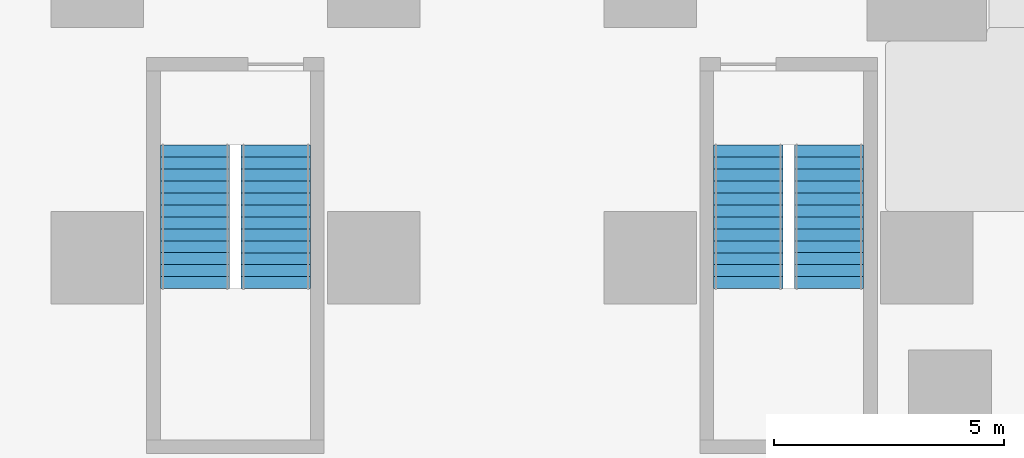
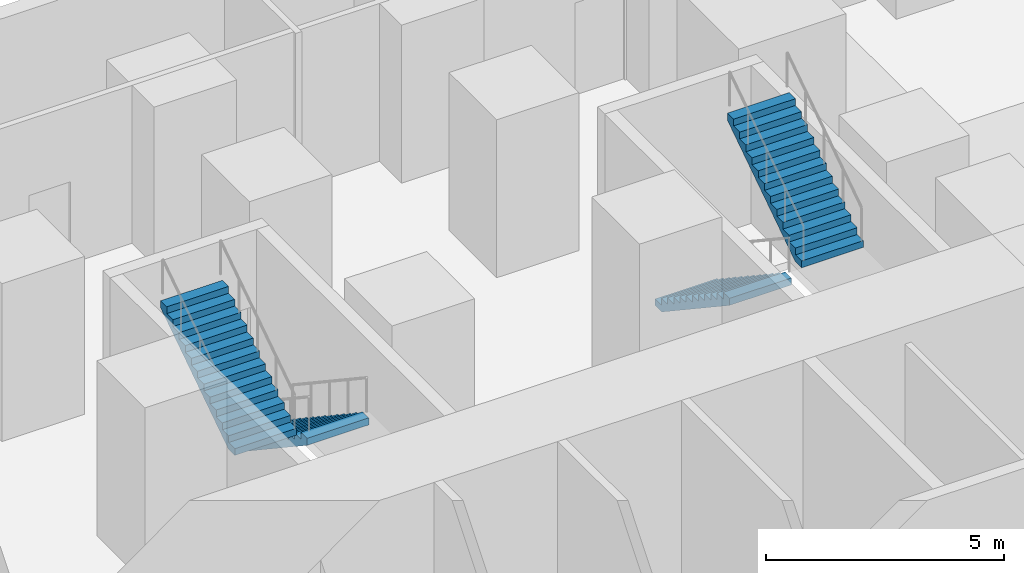
# One storey, part 4 of 6: 4 stair flights, 2 elements without a shape of their own.
"""IFC4 building model written with IfcOpenShell, lengths in metres."""

from ifc_helpers import new_model, si_unit, direction, frame, origin, place, context, subcontext, project, spatial, polyline, outline, extrude, material, type_object, element, aggregate, save


model = new_model("IFC4")

# Units and contexts
model_context = context("Model", 3, precision=1e-05, world=origin(), true_north=direction((0.0, 1.0)))
body_context = subcontext(model_context, "Body", "Model", "MODEL_VIEW")
ifc_project = project(units=[si_unit("LENGTHUNIT", "METRE"), si_unit("AREAUNIT", "SQUARE_METRE"), si_unit("VOLUMEUNIT", "CUBIC_METRE"), si_unit("PLANEANGLEUNIT", "RADIAN"), si_unit("MASSUNIT", "GRAM", prefix="KILO")], contexts=[model_context])

# Site, building, storey
site_placement = place(None, origin())
site = spatial("IfcSite", under=ifc_project, at=site_placement, CompositionType="ELEMENT")
building_placement = place(site_placement, origin())
building = spatial("IfcBuilding", under=site, at=building_placement, Name="Highveld Stack Headquarters", CompositionType="ELEMENT")
storey_placement = place(building_placement, frame((0.0, 0.0, -4.5)))
storey = spatial("IfcBuildingStorey", under=building, at=storey_placement, Name="B1", CompositionType="ELEMENT", Elevation=-4.5)

# Stair, stair flights
ifc_material_1 = material(Name="Concrete C40/50, precast", Category="concrete")
stair_type_1 = type_object("IfcStairType", Name="STAIR PS2 HALF TURN 1500", PredefinedType="HALF_TURN_STAIR", material=ifc_material_1)
stair_1_placement = place(storey_placement, origin())
stair_1 = element("IfcStair", 1, at=stair_1_placement, inside=storey, type_object=stair_type_1, Name="Stair PS2 B1", PredefinedType="HALF_TURN_STAIR")
ifc_material_2 = material(Name="Concrete C40/50, precast", Category="concrete")
stair_flight_type = type_object("IfcStairFlightType", Name="STAIR FLIGHT 1500 PRECAST", PredefinedType="STRAIGHT", material=ifc_material_2)
stair_flight_1_placement = place(storey_placement, frame((14.125, 20.449951171875, 0.0), z_axis=(0.0, 0.0, 1.0), x_axis=(0.0, -1.0, 0.0)))
stair_flight_1 = element("IfcStairFlight", 2, at=stair_flight_1_placement, type_object=stair_flight_type, Name="PS2 flight 1", NumberOfRisers=13, NumberOfTreads=12, PredefinedType="STRAIGHT", RiserHeight=0.173076923, TreadLength=0.26, context=body_context, shape_type="SweptSolid", body=[
    extrude(outline(polyline([(0.0, 0.0), (0.0, 0.173095703125), (0.260009765625, 0.173095703125), (0.260009765625, 0.34619140625), (0.52001953125, 0.34619140625), (0.52001953125, 0.519287109375), (0.780029296875, 0.519287109375), (0.780029296875, 0.6923828125), (1.0400390625, 0.6923828125), (1.0400390625, 0.865478515625), (1.300048828125, 0.865478515625), (1.300048828125, 1.03857421875), (1.56005859375, 1.03857421875), (1.56005859375, 1.21142578125), (1.820068359375, 1.21142578125), (1.820068359375, 1.384521484375), (2.080078125, 1.384521484375), (2.080078125, 1.5576171875), (2.340087890625, 1.5576171875), (2.340087890625, 1.730712890625), (2.60009765625, 1.730712890625), (2.60009765625, 1.90380859375), (2.860107421875, 1.90380859375), (2.860107421875, 2.076904296875), (3.1201171875, 2.076904296875), (3.1201171875, 2.25), (3.1201171875, 1.896728515625), (0.2705078125, 0.0), (0.0, 0.0)])), frame((0.0, 0.75, 0.0), z_axis=(0.0, -1.0, 0.0), x_axis=(1.0, 0.0, 0.0)), (0.0, 0.0, 1.0), 1.5),
])
stair_flight_2_placement = place(storey_placement, frame((15.875, 17.330078125, 2.25), z_axis=(0.0, 0.0, 1.0), x_axis=(0.0, 1.0, 0.0)))
stair_flight_2 = element("IfcStairFlight", 3, at=stair_flight_2_placement, type_object=stair_flight_type, Name="PS2 flight 2", NumberOfRisers=13, NumberOfTreads=12, PredefinedType="STRAIGHT", RiserHeight=0.173076923, TreadLength=0.26, context=body_context, shape_type="SweptSolid", body=[
    extrude(outline(polyline([(0.0, 0.0), (0.0, 0.173095703125), (0.260009765625, 0.173095703125), (0.260009765625, 0.34619140625), (0.52001953125, 0.34619140625), (0.52001953125, 0.519287109375), (0.780029296875, 0.519287109375), (0.780029296875, 0.6923828125), (1.0400390625, 0.6923828125), (1.0400390625, 0.865478515625), (1.300048828125, 0.865478515625), (1.300048828125, 1.03857421875), (1.56005859375, 1.03857421875), (1.56005859375, 1.21142578125), (1.820068359375, 1.21142578125), (1.820068359375, 1.384521484375), (2.080078125, 1.384521484375), (2.080078125, 1.5576171875), (2.340087890625, 1.5576171875), (2.340087890625, 1.730712890625), (2.60009765625, 1.730712890625), (2.60009765625, 1.90380859375), (2.860107421875, 1.90380859375), (2.860107421875, 2.076904296875), (3.1201171875, 2.076904296875), (3.1201171875, 2.25), (3.1201171875, 1.896728515625), (0.2705078125, 0.0), (0.0, 0.0)])), frame((0.0, 0.75, 0.0), z_axis=(0.0, -1.0, 0.0), x_axis=(1.0, 0.0, 0.0)), (0.0, 0.0, 1.0), 1.5),
])
aggregate(stair_1, [stair_flight_1, stair_flight_2])

ifc_material_3 = material(Name="Concrete C40/50, precast", Category="concrete")
stair_type_2 = type_object("IfcStairType", Name="STAIR PS3 HALF TURN 1500", PredefinedType="HALF_TURN_STAIR", material=ifc_material_3)
stair_2_placement = place(storey_placement, origin())
stair_2 = element("IfcStair", 4, at=stair_2_placement, inside=storey, type_object=stair_type_2, Name="Stair PS3 B1", PredefinedType="HALF_TURN_STAIR")
stair_flight_3_placement = place(storey_placement, frame((3.875, 20.449951171875, 0.0), z_axis=(0.0, 0.0, 1.0), x_axis=(0.0, -1.0, 0.0)))
stair_flight_3 = element("IfcStairFlight", 5, at=stair_flight_3_placement, type_object=stair_flight_type, Name="PS3 flight 1", NumberOfRisers=13, NumberOfTreads=12, PredefinedType="STRAIGHT", RiserHeight=0.173076923, TreadLength=0.26, context=body_context, shape_type="SweptSolid", body=[
    extrude(outline(polyline([(0.0, 0.0), (0.0, 0.173095703125), (0.260009765625, 0.173095703125), (0.260009765625, 0.34619140625), (0.52001953125, 0.34619140625), (0.52001953125, 0.519287109375), (0.780029296875, 0.519287109375), (0.780029296875, 0.6923828125), (1.0400390625, 0.6923828125), (1.0400390625, 0.865478515625), (1.300048828125, 0.865478515625), (1.300048828125, 1.03857421875), (1.56005859375, 1.03857421875), (1.56005859375, 1.21142578125), (1.820068359375, 1.21142578125), (1.820068359375, 1.384521484375), (2.080078125, 1.384521484375), (2.080078125, 1.5576171875), (2.340087890625, 1.5576171875), (2.340087890625, 1.730712890625), (2.60009765625, 1.730712890625), (2.60009765625, 1.90380859375), (2.860107421875, 1.90380859375), (2.860107421875, 2.076904296875), (3.1201171875, 2.076904296875), (3.1201171875, 2.25), (3.1201171875, 1.896728515625), (0.2705078125, 0.0), (0.0, 0.0)])), frame((0.0, 0.75, 0.0), z_axis=(0.0, -1.0, 0.0), x_axis=(1.0, 0.0, 0.0)), (0.0, 0.0, 1.0), 1.5),
])
stair_flight_4_placement = place(storey_placement, frame((2.125, 17.330078125, 2.25), z_axis=(0.0, 0.0, 1.0), x_axis=(0.0, 1.0, 0.0)))
stair_flight_4 = element("IfcStairFlight", 6, at=stair_flight_4_placement, type_object=stair_flight_type, Name="PS3 flight 2", NumberOfRisers=13, NumberOfTreads=12, PredefinedType="STRAIGHT", RiserHeight=0.173076923, TreadLength=0.26, context=body_context, shape_type="SweptSolid", body=[
    extrude(outline(polyline([(0.0, 0.0), (0.0, 0.173095703125), (0.260009765625, 0.173095703125), (0.260009765625, 0.34619140625), (0.52001953125, 0.34619140625), (0.52001953125, 0.519287109375), (0.780029296875, 0.519287109375), (0.780029296875, 0.6923828125), (1.0400390625, 0.6923828125), (1.0400390625, 0.865478515625), (1.300048828125, 0.865478515625), (1.300048828125, 1.03857421875), (1.56005859375, 1.03857421875), (1.56005859375, 1.21142578125), (1.820068359375, 1.21142578125), (1.820068359375, 1.384521484375), (2.080078125, 1.384521484375), (2.080078125, 1.5576171875), (2.340087890625, 1.5576171875), (2.340087890625, 1.730712890625), (2.60009765625, 1.730712890625), (2.60009765625, 1.90380859375), (2.860107421875, 1.90380859375), (2.860107421875, 2.076904296875), (3.1201171875, 2.076904296875), (3.1201171875, 2.25), (3.1201171875, 1.896728515625), (0.2705078125, 0.0), (0.0, 0.0)])), frame((0.0, 0.75, 0.0), z_axis=(0.0, -1.0, 0.0), x_axis=(1.0, 0.0, 0.0)), (0.0, 0.0, 1.0), 1.5),
])
aggregate(stair_2, [stair_flight_3, stair_flight_4])

save(model, "model.ifc")
